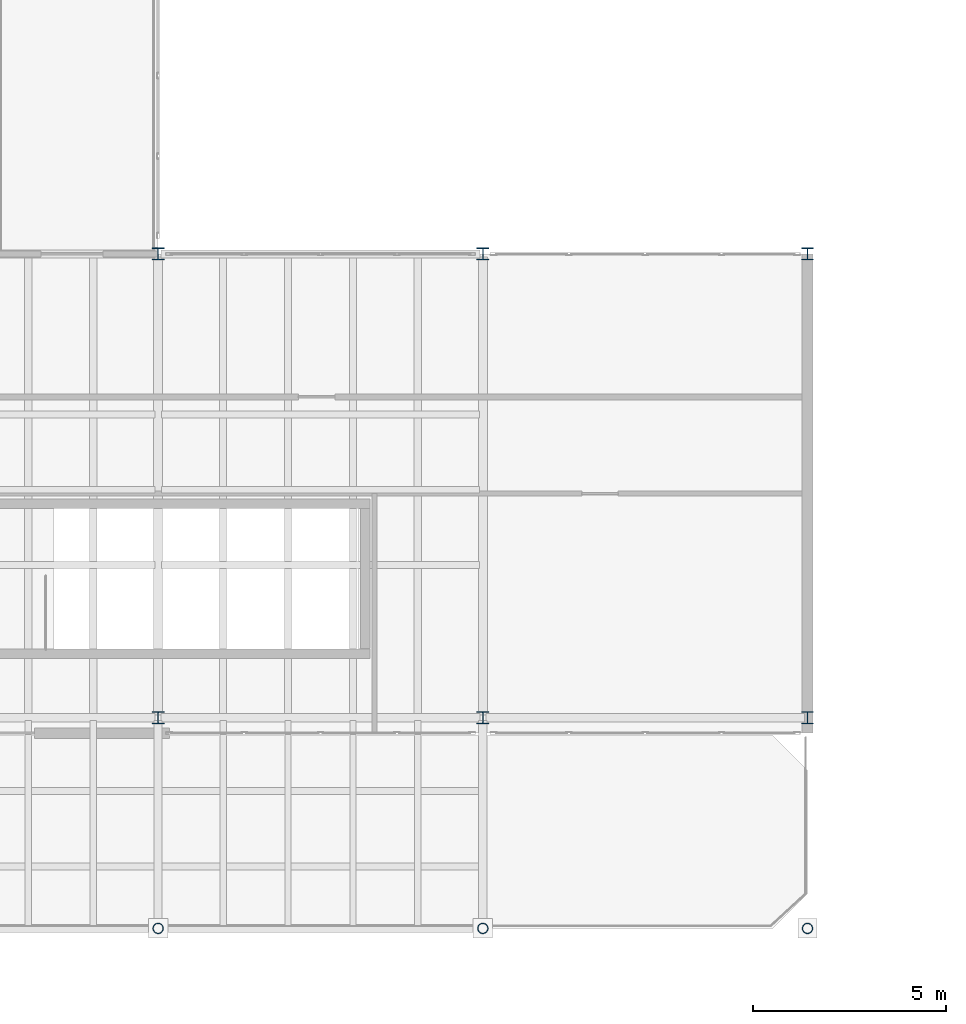
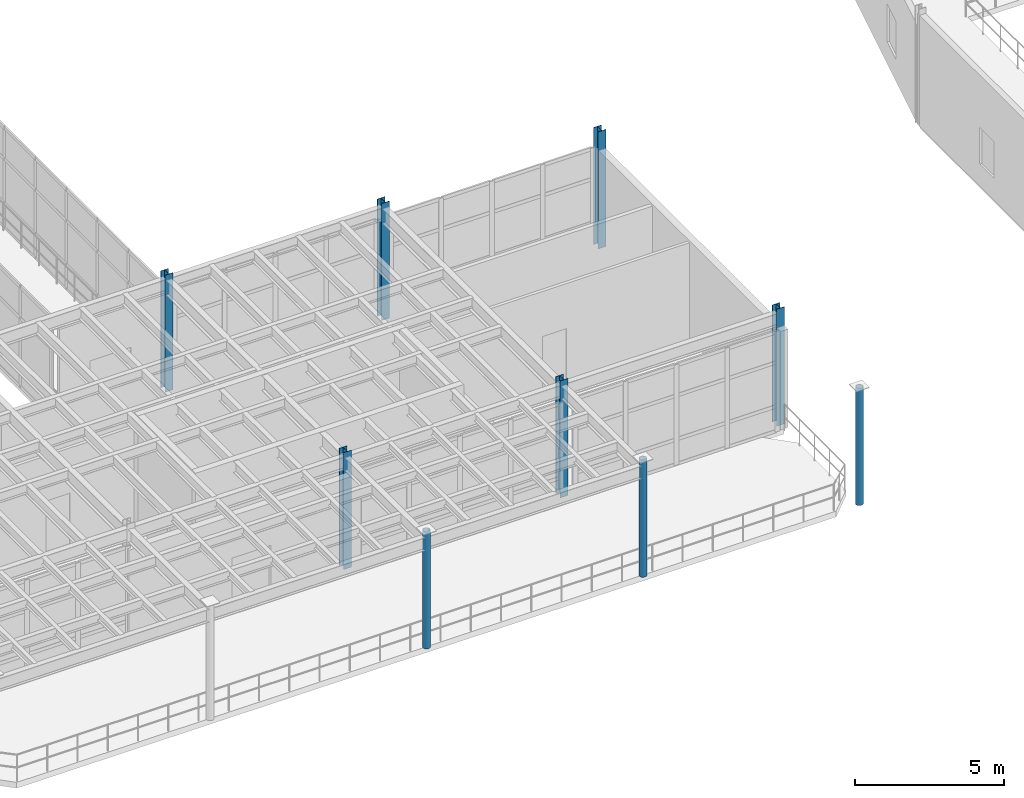
# One storey, part 7 of 105: 9 columns.
"""IFC4 building model written with IfcOpenShell, lengths in metres."""

from ifc_helpers import new_model, si_unit, direction, frame, origin, origin_2d, place, context, subcontext, project, spatial, hollow_circle, i_section, extrude, material, material_profile, profile_set, type_object, element, save


model = new_model("IFC4")

# Units and contexts
model_context = context("Model", 3, precision=1e-05, world=origin(), true_north=direction((0.0, 1.0)))
body_context = subcontext(model_context, "Body", "Model", "MODEL_VIEW")
ifc_project = project(units=[si_unit("LENGTHUNIT", "METRE"), si_unit("AREAUNIT", "SQUARE_METRE"), si_unit("VOLUMEUNIT", "CUBIC_METRE"), si_unit("PLANEANGLEUNIT", "RADIAN"), si_unit("MASSUNIT", "GRAM", prefix="KILO")], contexts=[model_context])

# Site, building, storey
site_placement = place(None, origin())
site = spatial("IfcSite", under=ifc_project, at=site_placement, CompositionType="ELEMENT")
building_placement = place(site_placement, origin())
building = spatial("IfcBuilding", under=site, at=building_placement, Name="Selat Folded Stagehouse", CompositionType="ELEMENT")
storey_placement = place(building_placement, frame((0.0, 0.0, 10.199951171875)))
storey = spatial("IfcBuildingStorey", under=building, at=storey_placement, Name="L02", CompositionType="ELEMENT", Elevation=10.199951171875)

# Columns
ifc_material = material(Name="Steel S355", Category="steel")
ifc_material_profile_1 = material_profile(ifc_material, hollow_circle(Radius=0.136474609375, WallThickness=0.012451171875, at=origin_2d()), Name="CHS 273.0x12.5")
ifc_profile_set_1 = profile_set([ifc_material_profile_1], Name="Steel S355")
column_type_1 = type_object("IfcColumnType", Name="COL-CHS-273x12.5", PredefinedType="COLUMN", material=ifc_profile_set_1)
for number, where, z_axis, x_axis, name in (
    (1, (100.800048828125, 0.35009765625, 0.0), (0.0, 0.0, 1.0), (1.0, 0.0, 0.0), "L02 column STK-COLPOST-100"),
    (2, (109.199951171875, 0.35009765625, 0.0), (0.0, 0.0, 1.0), (1.0, 0.0, 0.0), "L02 column STK-COLPOST-109"),
    (3, (117.60009765625, 0.35009765625, 0.0), (0.0, 0.0, 1.0), (1.0, 0.0, 0.0), "L02 column STK-COLPOST-117"),
):
    element("IfcColumn", number, at=place(storey_placement, frame(where, z_axis=z_axis, x_axis=x_axis)), inside=storey, type_object=column_type_1, Name=name, PredefinedType="COLUMN", context=body_context, shape_type="SweptSolid", body=[
        extrude(hollow_circle(Radius=0.136474609375, WallThickness=0.012451171875, at=origin_2d()), origin(), (0.0, 0.0, 1.0), 4.800048828125),
    ])
ifc_material_profile_2 = material_profile(ifc_material, i_section(OverallWidth=0.305419921875, OverallDepth=0.307861328125, WebThickness=0.010009765625, FlangeThickness=0.015380859375, FilletRadius=0.01513671875, at=origin_2d()), Name="UKC 305x305x97")
ifc_profile_set_2 = profile_set([ifc_material_profile_2], Name="Steel S355")
column_type_2 = type_object("IfcColumnType", Name="COL-UKC-305x305x97", PredefinedType="COLUMN", material=ifc_profile_set_2)
for number, where, z_axis, x_axis, name in (
    (4, (100.800048828125, 5.800048828125, 0.0), (0.0, 0.0, 1.0), (1.0, 0.0, 0.0), "L02 column STK-V5-100-58"),
    (5, (100.800048828125, 17.800048828125, 0.0), (0.0, 0.0, 1.0), (1.0, 0.0, 0.0), "L02 column STK-V5-100-178"),
    (6, (109.199951171875, 5.800048828125, 0.0), (0.0, 0.0, 1.0), (1.0, 0.0, 0.0), "L02 column STK-V5-109-58"),
    (7, (109.199951171875, 17.800048828125, 0.0), (0.0, 0.0, 1.0), (1.0, 0.0, 0.0), "L02 column STK-V5-109-178"),
    (8, (117.60009765625, 5.800048828125, 0.0), (0.0, 0.0, 1.0), (1.0, 0.0, 0.0), "L02 column STK-V5-117-58"),
    (9, (117.60009765625, 17.800048828125, 0.0), (0.0, 0.0, 1.0), (1.0, 0.0, 0.0), "L02 column STK-V5-117-178"),
):
    element("IfcColumn", number, at=place(storey_placement, frame(where, z_axis=z_axis, x_axis=x_axis)), inside=storey, type_object=column_type_2, Name=name, PredefinedType="COLUMN", context=body_context, shape_type="SweptSolid", body=[
        extrude(i_section(OverallWidth=0.305419921875, OverallDepth=0.307861328125, WebThickness=0.010009765625, FlangeThickness=0.015380859375, FilletRadius=0.01513671875, at=origin_2d()), origin(), (0.0, 0.0, 1.0), 4.800048828125),
    ])

save(model, "model.ifc")
